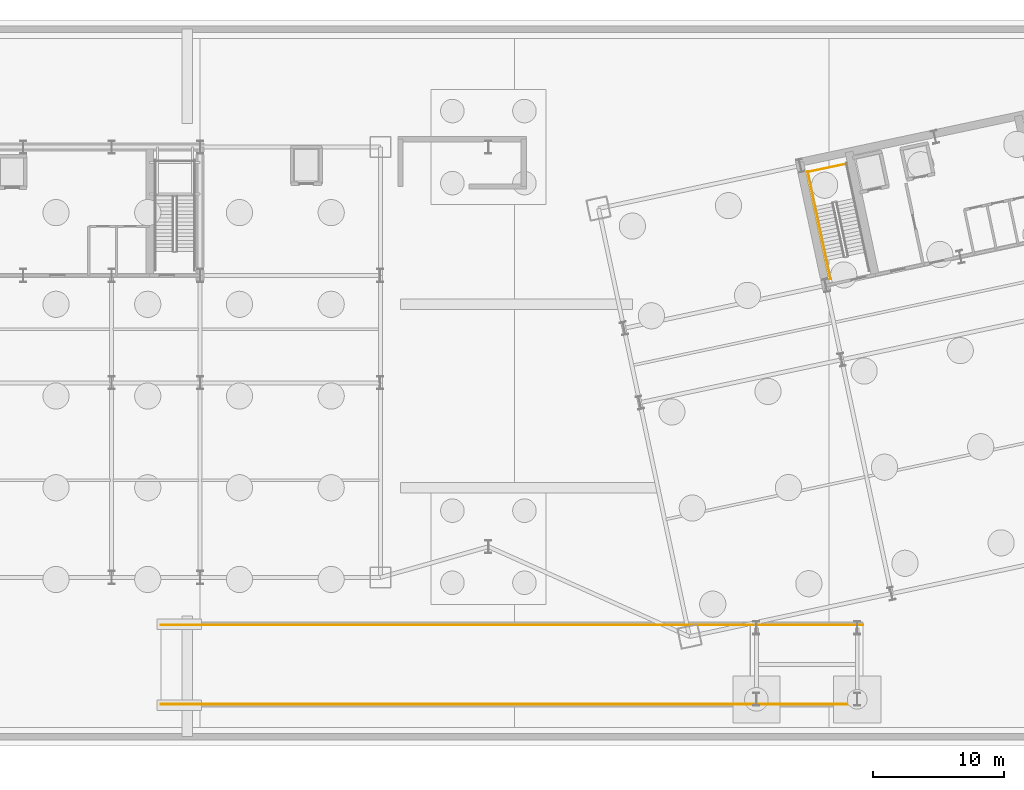
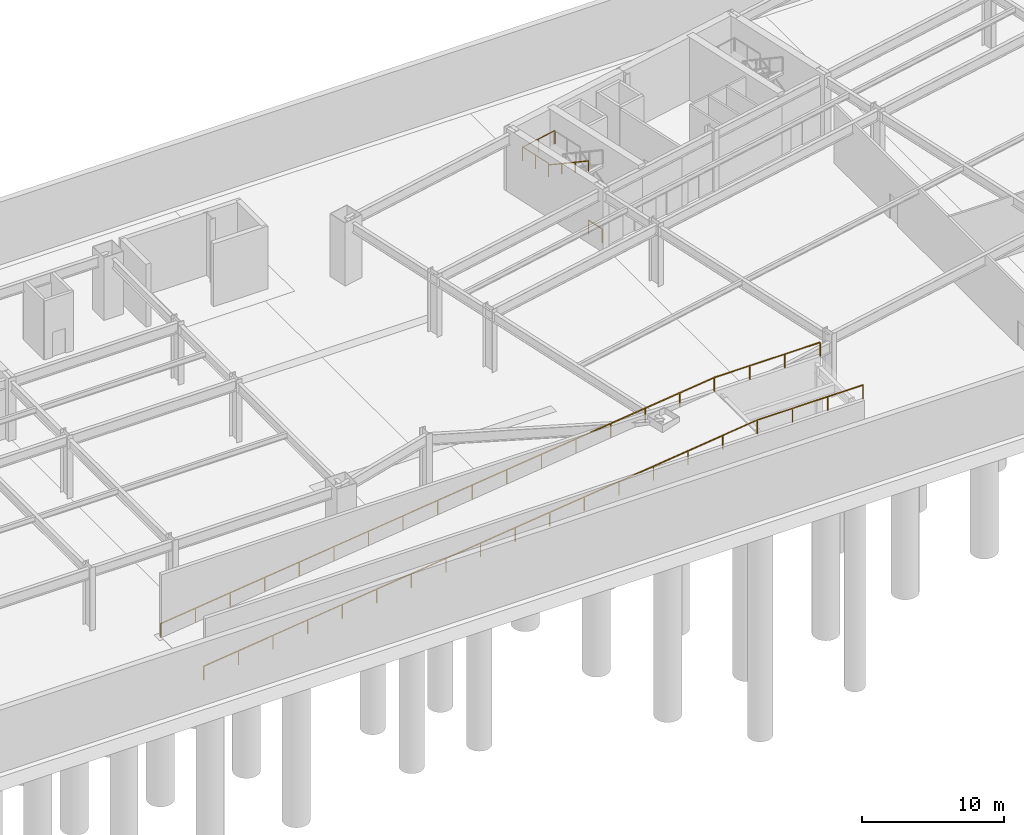
# One storey, part 13 of 15: 6 railings.
"""IFC4 building model written with IfcOpenShell, lengths in metres."""

from ifc_helpers import new_model, si_unit, direction, frame, origin, origin_2d, place, context, subcontext, project, spatial, rectangle, extrude, material, type_object, element, save


model = new_model("IFC4")

# Units and contexts
model_context = context("Model", 3, precision=1e-05, world=origin(), true_north=direction((0.0, 1.0)))
body_context = subcontext(model_context, "Body", "Model", "MODEL_VIEW")
ifc_project = project(units=[si_unit("LENGTHUNIT", "METRE"), si_unit("AREAUNIT", "SQUARE_METRE"), si_unit("VOLUMEUNIT", "CUBIC_METRE"), si_unit("PLANEANGLEUNIT", "RADIAN"), si_unit("MASSUNIT", "GRAM", prefix="KILO")], contexts=[model_context])

# Site, building, storey
site_placement = place(None, origin())
site = spatial("IfcSite", under=ifc_project, at=site_placement, CompositionType="ELEMENT")
building_placement = place(site_placement, origin())
building = spatial("IfcBuilding", under=site, at=building_placement, Name="Haevon Station Towers", CompositionType="ELEMENT")
storey_placement = place(building_placement, frame((0.0, 0.0, -10.800048828125)))
storey = spatial("IfcBuildingStorey", under=building, at=storey_placement, Name="B02", CompositionType="ELEMENT", Elevation=-10.800048828125)

# Railings
ifc_material = material(Name="Steel S355", Category="steel")
railing_type_1 = type_object("IfcRailingType", Name="BAL-ATR1200", PredefinedType="BALUSTRADE", material=ifc_material)
railing_1_placement = place(storey_placement, frame((48.0, 5.47998046875, 0.0)))
element("IfcRailing", 1, at=railing_1_placement, inside=storey, type_object=railing_type_1, Name="B02 Vehicle Ramp Flight 1 S Guardrail", PredefinedType="BALUSTRADE", context=body_context, shape_type="SweptSolid", body=[
    extrude(rectangle(XDim=0.048095703125, YDim=0.048095703125, at=origin_2d()), frame((0.0, 0.0, 1.17578125), z_axis=(0.992876456145, 0.0, 0.119148406757), x_axis=(0.0, 1.0, 0.0)), (0.0, 0.0, 1.0), 45.32275390625),
    extrude(rectangle(XDim=0.048095703125, YDim=0.048095703125, at=origin_2d()), frame((45.0, 0.0, 6.576171875), z_axis=(1.0, 0.0, 0.0), x_axis=(0.0, 1.0, 0.0)), (0.0, 0.0, 1.0), 8.60009765625),
    extrude(rectangle(XDim=0.0419921875, YDim=0.0419921875, at=origin_2d()), origin(), (0.0, 0.0, 1.0), 1.15185546875),
    extrude(rectangle(XDim=0.0419921875, YDim=0.0419921875, at=origin_2d()), frame((2.8125, 0.0, 0.33740234375)), (0.0, 0.0, 1.0), 1.15185546875),
    extrude(rectangle(XDim=0.0419921875, YDim=0.0419921875, at=origin_2d()), frame((5.625, 0.0, 0.675048828125)), (0.0, 0.0, 1.0), 1.15185546875),
    extrude(rectangle(XDim=0.0419921875, YDim=0.0419921875, at=origin_2d()), frame((8.4375, 0.0, 1.012451171875)), (0.0, 0.0, 1.0), 1.15185546875),
    extrude(rectangle(XDim=0.0419921875, YDim=0.0419921875, at=origin_2d()), frame((11.25, 0.0, 1.35009765625)), (0.0, 0.0, 1.0), 1.15185546875),
    extrude(rectangle(XDim=0.0419921875, YDim=0.0419921875, at=origin_2d()), frame((14.0625, 0.0, 1.6875)), (0.0, 0.0, 1.0), 1.15185546875),
    extrude(rectangle(XDim=0.0419921875, YDim=0.0419921875, at=origin_2d()), frame((16.875, 0.0, 2.025146484375)), (0.0, 0.0, 1.0), 1.15185546875),
    extrude(rectangle(XDim=0.0419921875, YDim=0.0419921875, at=origin_2d()), frame((19.6875, 0.0, 2.362548828125)), (0.0, 0.0, 1.0), 1.15185546875),
    extrude(rectangle(XDim=0.0419921875, YDim=0.0419921875, at=origin_2d()), frame((22.5, 0.0, 2.7001953125)), (0.0, 0.0, 1.0), 1.15185546875),
    extrude(rectangle(XDim=0.0419921875, YDim=0.0419921875, at=origin_2d()), frame((25.3125, 0.0, 3.03759765625)), (0.0, 0.0, 1.0), 1.15185546875),
    extrude(rectangle(XDim=0.0419921875, YDim=0.0419921875, at=origin_2d()), frame((28.125, 0.0, 3.375)), (0.0, 0.0, 1.0), 1.15185546875),
    extrude(rectangle(XDim=0.0419921875, YDim=0.0419921875, at=origin_2d()), frame((30.9375, 0.0, 3.712646484375)), (0.0, 0.0, 1.0), 1.15185546875),
    extrude(rectangle(XDim=0.0419921875, YDim=0.0419921875, at=origin_2d()), frame((33.75, 0.0, 4.050048828125)), (0.0, 0.0, 1.0), 1.15185546875),
    extrude(rectangle(XDim=0.0419921875, YDim=0.0419921875, at=origin_2d()), frame((36.5625, 0.0, 4.3876953125)), (0.0, 0.0, 1.0), 1.15185546875),
    extrude(rectangle(XDim=0.0419921875, YDim=0.0419921875, at=origin_2d()), frame((39.375, 0.0, 4.72509765625)), (0.0, 0.0, 1.0), 1.15185546875),
    extrude(rectangle(XDim=0.0419921875, YDim=0.0419921875, at=origin_2d()), frame((42.1875, 0.0, 5.062744140625)), (0.0, 0.0, 1.0), 1.15185546875),
    extrude(rectangle(XDim=0.0419921875, YDim=0.0419921875, at=origin_2d()), frame((45.0, 0.0, 5.400146484375)), (0.0, 0.0, 1.0), 1.15185546875),
    extrude(rectangle(XDim=0.0419921875, YDim=0.0419921875, at=origin_2d()), frame((47.86669921875, 0.0, 5.400146484375)), (0.0, 0.0, 1.0), 1.15185546875),
    extrude(rectangle(XDim=0.0419921875, YDim=0.0419921875, at=origin_2d()), frame((50.7333984375, 0.0, 5.400146484375)), (0.0, 0.0, 1.0), 1.15185546875),
    extrude(rectangle(XDim=0.0419921875, YDim=0.0419921875, at=origin_2d()), frame((53.60009765625, 0.0, 5.400146484375)), (0.0, 0.0, 1.0), 1.15185546875),
])
railing_2_placement = place(storey_placement, frame((48.0, 11.52001953125, 0.0)))
element("IfcRailing", 2, at=railing_2_placement, inside=storey, type_object=railing_type_1, Name="B02 Vehicle Ramp Flight 1 N Guardrail", PredefinedType="BALUSTRADE", context=body_context, shape_type="SweptSolid", body=[
    extrude(rectangle(XDim=0.048095703125, YDim=0.048095703125, at=origin_2d()), frame((0.0, 0.0, 1.17578125), z_axis=(0.992876456145, 0.0, 0.119148406757), x_axis=(0.0, 1.0, 0.0)), (0.0, 0.0, 1.0), 45.32275390625),
    extrude(rectangle(XDim=0.048095703125, YDim=0.048095703125, at=origin_2d()), frame((45.0, 0.0, 6.576171875), z_axis=(1.0, 0.0, 0.0), x_axis=(0.0, 1.0, 0.0)), (0.0, 0.0, 1.0), 8.60009765625),
    extrude(rectangle(XDim=0.0419921875, YDim=0.0419921875, at=origin_2d()), origin(), (0.0, 0.0, 1.0), 1.15185546875),
    extrude(rectangle(XDim=0.0419921875, YDim=0.0419921875, at=origin_2d()), frame((2.8125, 0.0, 0.33740234375)), (0.0, 0.0, 1.0), 1.15185546875),
    extrude(rectangle(XDim=0.0419921875, YDim=0.0419921875, at=origin_2d()), frame((5.625, 0.0, 0.675048828125)), (0.0, 0.0, 1.0), 1.15185546875),
    extrude(rectangle(XDim=0.0419921875, YDim=0.0419921875, at=origin_2d()), frame((8.4375, 0.0, 1.012451171875)), (0.0, 0.0, 1.0), 1.15185546875),
    extrude(rectangle(XDim=0.0419921875, YDim=0.0419921875, at=origin_2d()), frame((11.25, 0.0, 1.35009765625)), (0.0, 0.0, 1.0), 1.15185546875),
    extrude(rectangle(XDim=0.0419921875, YDim=0.0419921875, at=origin_2d()), frame((14.0625, 0.0, 1.6875)), (0.0, 0.0, 1.0), 1.15185546875),
    extrude(rectangle(XDim=0.0419921875, YDim=0.0419921875, at=origin_2d()), frame((16.875, 0.0, 2.025146484375)), (0.0, 0.0, 1.0), 1.15185546875),
    extrude(rectangle(XDim=0.0419921875, YDim=0.0419921875, at=origin_2d()), frame((19.6875, 0.0, 2.362548828125)), (0.0, 0.0, 1.0), 1.15185546875),
    extrude(rectangle(XDim=0.0419921875, YDim=0.0419921875, at=origin_2d()), frame((22.5, 0.0, 2.7001953125)), (0.0, 0.0, 1.0), 1.15185546875),
    extrude(rectangle(XDim=0.0419921875, YDim=0.0419921875, at=origin_2d()), frame((25.3125, 0.0, 3.03759765625)), (0.0, 0.0, 1.0), 1.15185546875),
    extrude(rectangle(XDim=0.0419921875, YDim=0.0419921875, at=origin_2d()), frame((28.125, 0.0, 3.375)), (0.0, 0.0, 1.0), 1.15185546875),
    extrude(rectangle(XDim=0.0419921875, YDim=0.0419921875, at=origin_2d()), frame((30.9375, 0.0, 3.712646484375)), (0.0, 0.0, 1.0), 1.15185546875),
    extrude(rectangle(XDim=0.0419921875, YDim=0.0419921875, at=origin_2d()), frame((33.75, 0.0, 4.050048828125)), (0.0, 0.0, 1.0), 1.15185546875),
    extrude(rectangle(XDim=0.0419921875, YDim=0.0419921875, at=origin_2d()), frame((36.5625, 0.0, 4.3876953125)), (0.0, 0.0, 1.0), 1.15185546875),
    extrude(rectangle(XDim=0.0419921875, YDim=0.0419921875, at=origin_2d()), frame((39.375, 0.0, 4.72509765625)), (0.0, 0.0, 1.0), 1.15185546875),
    extrude(rectangle(XDim=0.0419921875, YDim=0.0419921875, at=origin_2d()), frame((42.1875, 0.0, 5.062744140625)), (0.0, 0.0, 1.0), 1.15185546875),
    extrude(rectangle(XDim=0.0419921875, YDim=0.0419921875, at=origin_2d()), frame((45.0, 0.0, 5.400146484375)), (0.0, 0.0, 1.0), 1.15185546875),
    extrude(rectangle(XDim=0.0419921875, YDim=0.0419921875, at=origin_2d()), frame((47.86669921875, 0.0, 5.400146484375)), (0.0, 0.0, 1.0), 1.15185546875),
    extrude(rectangle(XDim=0.0419921875, YDim=0.0419921875, at=origin_2d()), frame((50.7333984375, 0.0, 5.400146484375)), (0.0, 0.0, 1.0), 1.15185546875),
    extrude(rectangle(XDim=0.0419921875, YDim=0.0419921875, at=origin_2d()), frame((53.60009765625, 0.0, 5.400146484375)), (0.0, 0.0, 1.0), 1.15185546875),
])
railing_type_2 = type_object("IfcRailingType", Name="GRD-STR1200", PredefinedType="GUARDRAIL", material=ifc_material)
railing_3_placement = place(storey_placement, frame((97.9541015625, 43.4580078125, 2.699951171875)))
element("IfcRailing", 3, at=railing_3_placement, inside=storey, type_object=railing_type_2, Name="B02 ST3 Stair Guard 4", PredefinedType="GUARDRAIL", context=body_context, shape_type="SweptSolid", body=[
    extrude(rectangle(XDim=0.048095703125, YDim=0.048095703125, at=origin_2d()), frame((0.0, 0.0, 1.17578125), z_axis=(-0.207831149236, 0.97816471691, 0.0), x_axis=(-0.97816471691, -0.207831149236, 0.0)), (0.0, 0.0, 1.0), 2.75),
    extrude(rectangle(XDim=0.0419921875, YDim=0.0419921875, at=origin_2d()), origin(), (0.0, 0.0, 1.0), 1.15185546875),
    extrude(rectangle(XDim=0.0419921875, YDim=0.0419921875, at=origin_2d()), frame((-0.28564453125, 1.344970703125, 0.0)), (0.0, 0.0, 1.0), 1.15185546875),
    extrude(rectangle(XDim=0.0419921875, YDim=0.0419921875, at=origin_2d()), frame((-0.571533203125, 2.68994140625, 0.0)), (0.0, 0.0, 1.0), 1.15185546875),
])
railing_4_placement = place(storey_placement, frame((100.376220703125, 46.733154296875, 2.699951171875)))
element("IfcRailing", 4, at=railing_4_placement, inside=storey, type_object=railing_type_2, Name="B02 ST3 Stair Guard 5", PredefinedType="GUARDRAIL", context=body_context, shape_type="SweptSolid", body=[
    extrude(rectangle(XDim=0.048095703125, YDim=0.048095703125, at=origin_2d()), frame((0.0, 0.0, 1.17578125), z_axis=(-0.978146839882, -0.207915270313, 0.0), x_axis=(0.207915270313, -0.978146839882, 0.0)), (0.0, 0.0, 1.0), 3.099853515625),
    extrude(rectangle(XDim=0.0419921875, YDim=0.0419921875, at=origin_2d()), origin(), (0.0, 0.0, 1.0), 1.15185546875),
    extrude(rectangle(XDim=0.0419921875, YDim=0.0419921875, at=origin_2d()), frame((-1.51611328125, -0.322265625, 0.0)), (0.0, 0.0, 1.0), 1.15185546875),
    extrude(rectangle(XDim=0.0419921875, YDim=0.0419921875, at=origin_2d()), frame((-3.0322265625, -0.64453125, 0.0)), (0.0, 0.0, 1.0), 1.15185546875),
])
railing_5_placement = place(storey_placement, frame((99.12890625, 37.931396484375, 0.0)))
element("IfcRailing", 5, at=railing_5_placement, inside=storey, type_object=railing_type_2, Name="B02 ST3 Stair Guard 9", PredefinedType="GUARDRAIL", context=body_context, shape_type="SweptSolid", body=[
    extrude(rectangle(XDim=0.048095703125, YDim=0.048095703125, at=origin_2d()), frame((0.0, 0.0, 1.17578125), z_axis=(-0.207953405961, 0.978138732977, 0.0), x_axis=(-0.978138732977, -0.207953405961, 0.0)), (0.0, 0.0, 1.0), 1.449951171875),
    extrude(rectangle(XDim=0.0419921875, YDim=0.0419921875, at=origin_2d()), origin(), (0.0, 0.0, 1.0), 1.15185546875),
    extrude(rectangle(XDim=0.0419921875, YDim=0.0419921875, at=origin_2d()), frame((-0.301513671875, 1.418212890625, 0.0)), (0.0, 0.0, 1.0), 1.15185546875),
])
railing_type_3 = type_object("IfcRailingType", Name="HND-STR900", PredefinedType="HANDRAIL", material=ifc_material)
railing_6_placement = place(storey_placement, frame((97.9541015625, 43.4580078125, 2.868896484375)))
element("IfcRailing", 6, at=railing_6_placement, inside=storey, type_object=railing_type_3, Name="B02 ST3 Stair Handrail 2", PredefinedType="HANDRAIL", context=body_context, shape_type="SweptSolid", body=[
    extrude(rectangle(XDim=0.048095703125, YDim=0.048095703125, at=origin_2d()), frame((0.0, 0.0, 0.8759765625), z_axis=(0.178078821748, -0.83777199116, 0.516164725716), x_axis=(0.978146440129, 0.207917150959, 0.0)), (0.0, 0.0, 1.0), 4.904052734375),
    extrude(rectangle(XDim=0.0419921875, YDim=0.0419921875, at=origin_2d()), origin(), (0.0, 0.0, 1.0), 0.851806640625),
    extrude(rectangle(XDim=0.0419921875, YDim=0.0419921875, at=origin_2d()), frame((0.291015625, -1.369384765625, 0.84375)), (0.0, 0.0, 1.0), 0.851806640625),
    extrude(rectangle(XDim=0.0419921875, YDim=0.0419921875, at=origin_2d()), frame((0.582275390625, -2.739013671875, 1.6875)), (0.0, 0.0, 1.0), 0.851806640625),
    extrude(rectangle(XDim=0.0419921875, YDim=0.0419921875, at=origin_2d()), frame((0.873291015625, -4.1083984375, 2.53125)), (0.0, 0.0, 1.0), 0.851806640625),
])

save(model, "model.ifc")
